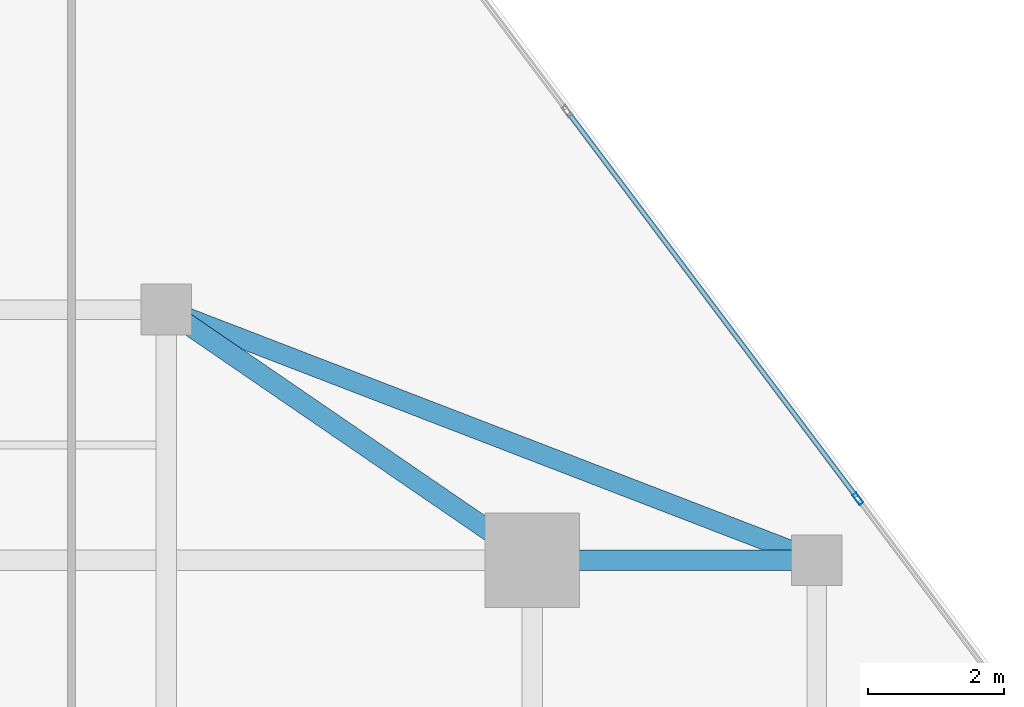
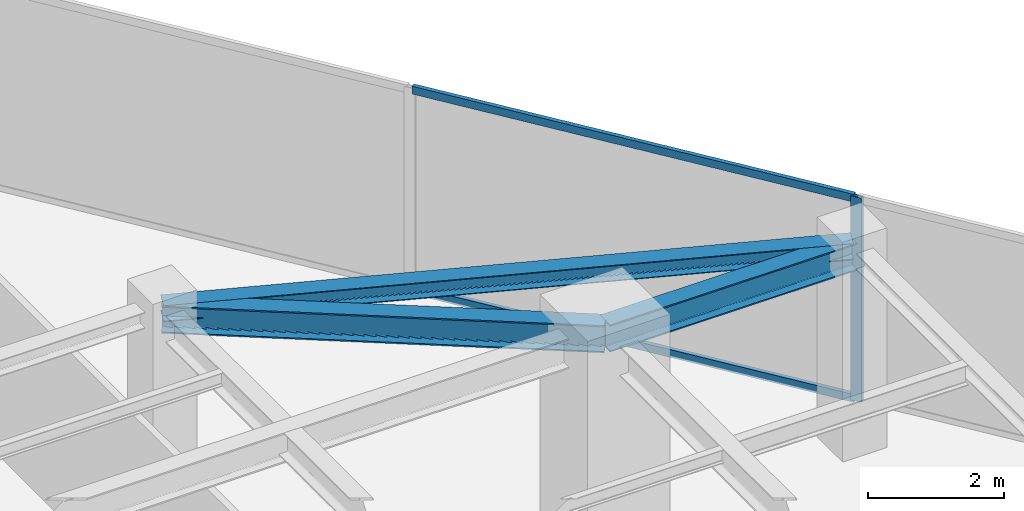
# One storey, part 15 of 21: 3 beams, 3 members, 1 element without a shape of its own.
"""IFC4 building model written with IfcOpenShell, lengths in metres."""

from ifc_helpers import new_model, si_unit, direction, frame, origin, origin_2d, place, context, subcontext, project, spatial, hollow_rectangle, i_section, extrude, source, transform, mapped, material, material_profile, profile_set, type_object, type_shapes, element, aggregate, save


model = new_model("IFC4")

# Units and contexts
model_context = context("Model", 3, precision=1e-05, world=origin(), true_north=direction((0.0, 1.0)))
body_context = subcontext(model_context, "Body", "Model", "MODEL_VIEW")
ifc_project = project(units=[si_unit("LENGTHUNIT", "METRE"), si_unit("AREAUNIT", "SQUARE_METRE"), si_unit("VOLUMEUNIT", "CUBIC_METRE"), si_unit("PLANEANGLEUNIT", "RADIAN"), si_unit("MASSUNIT", "GRAM", prefix="KILO")], contexts=[model_context])

# Site, building, storey
site_placement = place(None, origin())
site = spatial("IfcSite", under=ifc_project, at=site_placement, CompositionType="ELEMENT")
building_placement = place(site_placement, origin())
building = spatial("IfcBuilding", under=site, at=building_placement, Name="Krantzveldt Concourse Tower", CompositionType="ELEMENT")
storey_placement = place(building_placement, frame((0.0, 0.0, 267.39990234375)))
storey = spatial("IfcBuildingStorey", under=building, at=storey_placement, Name="L65", CompositionType="ELEMENT", Elevation=267.39990234375)

# Beams
ifc_material_1 = material(Name="Steel S355JR", Category="steel")
ifc_material_profile_1 = material_profile(ifc_material_1, i_section(OverallWidth=0.300048828125, OverallDepth=0.489990234375, WebThickness=0.011962890625, FlangeThickness=0.02294921875, FilletRadius=0.027099609375, at=origin_2d()), Name="Steel S355JR", Category="steel")
ifc_profile_set_1 = profile_set([ifc_material_profile_1], Name="Steel S355JR - HEA 500")
beam_type_1 = type_object("IfcBeamType", Name="BM-B-HEA500", PredefinedType="BEAM", material=ifc_profile_set_1)
shared_shape_1 = source(origin(), body_context, "Body", "SweptSolid", [
    extrude(i_section(OverallWidth=0.300048828125, OverallDepth=0.489990234375, WebThickness=0.011962890625, FlangeThickness=0.02294921875, FilletRadius=0.027099609375, at=origin_2d()), origin(), (0.0, 0.0, 1.0), 4.199951171875),
])
beam_1_placement = place(storey_placement, frame((46.800048828125, 37.5, 3.425048828125), z_axis=(1.0, 0.0, 0.0), x_axis=(0.0, 1.0, 0.0)))
element("IfcBeam", 1, at=beam_1_placement, inside=storey, type_object=beam_type_1, Name="L65 Tower Girder BR-RR3", PredefinedType="BEAM", context=body_context, shape_type="MappedRepresentation", body=[
    mapped(shared_shape_1, transform((0.0, 0.0, 0.0), x_axis=(1.0, 0.0, 0.0), y_axis=(0.0, 1.0, 0.0), z_axis=(0.0, 0.0, 1.0), scale=1.0)),
])
shared_shape_2 = source(origin(), body_context, "Body", "SweptSolid", [
    extrude(i_section(OverallWidth=0.300048828125, OverallDepth=0.489990234375, WebThickness=0.011962890625, FlangeThickness=0.02294921875, FilletRadius=0.027099609375, at=origin_2d()), origin(), (0.0, 0.0, 1.0), 6.546142578125),
])
type_shapes(beam_type_1, [shared_shape_1, shared_shape_2])
beam_2_placement = place(storey_placement, frame((46.800048828125, 37.5, 3.425048828125), z_axis=(-0.824942999484, 0.565215930068, 0.0), x_axis=(-0.565215930068, -0.824942999484, 0.0)))
element("IfcBeam", 2, at=beam_2_placement, inside=storey, type_object=beam_type_1, Name="L65 Tower Girder BR-RR4", PredefinedType="BEAM", context=body_context, shape_type="MappedRepresentation", body=[
    mapped(shared_shape_2, transform((0.0, 0.0, 0.0), x_axis=(1.0, 0.0, 0.0), y_axis=(0.0, 1.0, 0.0), z_axis=(0.0, 0.0, 1.0), scale=1.0)),
])
ifc_material_profile_2 = material_profile(ifc_material_1, i_section(OverallWidth=0.2900390625, OverallDepth=0.2900390625, WebThickness=0.008544921875, FlangeThickness=0.013916015625, FilletRadius=0.027099609375, at=origin_2d()), Name="Steel S355JR", Category="steel")
ifc_profile_set_2 = profile_set([ifc_material_profile_2], Name="Steel S355JR - HEA 300")
beam_type_2 = type_object("IfcBeamType", Name="BM-SP-HEA300", PredefinedType="SPANDREL", material=ifc_profile_set_2)
shared_shape_3 = source(origin(), body_context, "Body", "SweptSolid", [
    extrude(i_section(OverallWidth=0.2900390625, OverallDepth=0.2900390625, WebThickness=0.008544921875, FlangeThickness=0.013916015625, FilletRadius=0.027099609375, at=origin_2d()), origin(), (0.0, 0.0, 1.0), 10.288330078125),
])
type_shapes(beam_type_2, [shared_shape_3])
beam_3_placement = place(storey_placement, frame((41.39990234375, 41.199951171875, 3.525146484375), z_axis=(0.933097690408, -0.359622997257, 0.0), x_axis=(0.359622997257, 0.933097690408, 0.0)))
element("IfcBeam", 3, at=beam_3_placement, inside=storey, type_object=beam_type_2, Name="L65 Tower Girder SP-R05", PredefinedType="SPANDREL", context=body_context, shape_type="MappedRepresentation", body=[
    mapped(shared_shape_3, transform((0.0, 0.0, 0.0), x_axis=(1.0, 0.0, 0.0), y_axis=(0.0, 1.0, 0.0), z_axis=(0.0, 0.0, 1.0), scale=1.0)),
])

# Curtain wall, members
ifc_material_2 = material(Name="Anodised aluminium 6063-T6", Category="aluminium")
curtain_wall_type = type_object("IfcCurtainWallType", Name="CW4", PredefinedType="USERDEFINED", material=ifc_material_2)
curtain_wall_placement = place(storey_placement, origin())
curtain_wall = element("IfcCurtainWall", 4, at=curtain_wall_placement, inside=storey, type_object=curtain_wall_type, Name="CW-L65-F10", ObjectType="UNITISED CURTAIN WALL", PredefinedType="USERDEFINED")
ifc_material_profile_3 = material_profile(ifc_material_2, hollow_rectangle(XDim=0.070068359375, YDim=0.179931640625, WallThickness=0.0048828125, at=origin_2d()), Name="Anodised aluminium 6063-T6", Category="aluminium")
ifc_profile_set_3 = profile_set([ifc_material_profile_3], Name="Anodised aluminium 6063-T6 - ALU-MULL 180x70x5")
member_type_1 = type_object("IfcMemberType", Name="CW-MUL-180", PredefinedType="MULLION", material=ifc_profile_set_3)
shared_shape_4 = source(origin(), body_context, "Body", "SweptSolid", [
    extrude(hollow_rectangle(XDim=0.070068359375, YDim=0.179931640625, WallThickness=0.0048828125, at=origin_2d()), origin(), (0.0, 0.0, 1.0), 3.670166015625),
])
type_shapes(member_type_1, [shared_shape_4])
member_1_placement = place(storey_placement, frame((51.60693359375, 38.407470703125, 0.0), z_axis=(0.0, 0.0, 1.0), x_axis=(-0.799946500313, -0.600071326292, 0.0)))
member_1 = element("IfcMember", 5, at=member_1_placement, type_object=member_type_1, Name="CW-Z56 mullion 3", PredefinedType="MULLION", context=body_context, shape_type="MappedRepresentation", body=[
    mapped(shared_shape_4, transform((0.0, 0.0, 0.0), x_axis=(1.0, 0.0, 0.0), y_axis=(0.0, 1.0, 0.0), z_axis=(0.0, 0.0, 1.0), scale=1.0)),
])
ifc_material_profile_4 = material_profile(ifc_material_2, hollow_rectangle(XDim=0.070068359375, YDim=0.139892578125, WallThickness=0.0048828125, at=origin_2d()), Name="Anodised aluminium 6063-T6", Category="aluminium")
ifc_profile_set_4 = profile_set([ifc_material_profile_4], Name="Anodised aluminium 6063-T6 - ALU-TRAN 140x70x5")
member_type_2 = type_object("IfcMemberType", Name="CW-TRN-150", PredefinedType="USERDEFINED", material=ifc_profile_set_4)
shared_shape_5 = source(origin(), body_context, "Body", "SweptSolid", [
    extrude(hollow_rectangle(XDim=0.070068359375, YDim=0.139892578125, WallThickness=0.0048828125, at=origin_2d()), origin(), (0.0, 0.0, 1.0), 7.080078125),
])
type_shapes(member_type_2, [shared_shape_5])
member_2_placement = place(storey_placement, frame((51.5859375, 38.435302734375, 0.03515625), z_axis=(-0.600060687091, 0.799954481085, 0.0), x_axis=(-0.799954481085, -0.600060687091, 0.0)))
member_2 = element("IfcMember", 6, at=member_2_placement, type_object=member_type_2, Name="CW-Z56 transom 3.1", ObjectType="TRANSOM", PredefinedType="USERDEFINED", context=body_context, shape_type="MappedRepresentation", body=[
    mapped(shared_shape_5, transform((0.0, 0.0, 0.0), x_axis=(1.0, 0.0, 0.0), y_axis=(0.0, 1.0, 0.0), z_axis=(0.0, 0.0, 1.0), scale=1.0)),
])
member_3_placement = place(storey_placement, frame((51.5859375, 38.435302734375, 3.635009765625), z_axis=(-0.600060687091, 0.799954481085, 0.0), x_axis=(-0.799954481085, -0.600060687091, 0.0)))
member_3 = element("IfcMember", 7, at=member_3_placement, type_object=member_type_2, Name="CW-Z56 transom 3.2", ObjectType="TRANSOM", PredefinedType="USERDEFINED", context=body_context, shape_type="MappedRepresentation", body=[
    mapped(shared_shape_5, transform((0.0, 0.0, 0.0), x_axis=(1.0, 0.0, 0.0), y_axis=(0.0, 1.0, 0.0), z_axis=(0.0, 0.0, 1.0), scale=1.0)),
])
aggregate(curtain_wall, [member_1, member_2, member_3])

save(model, "model.ifc")
